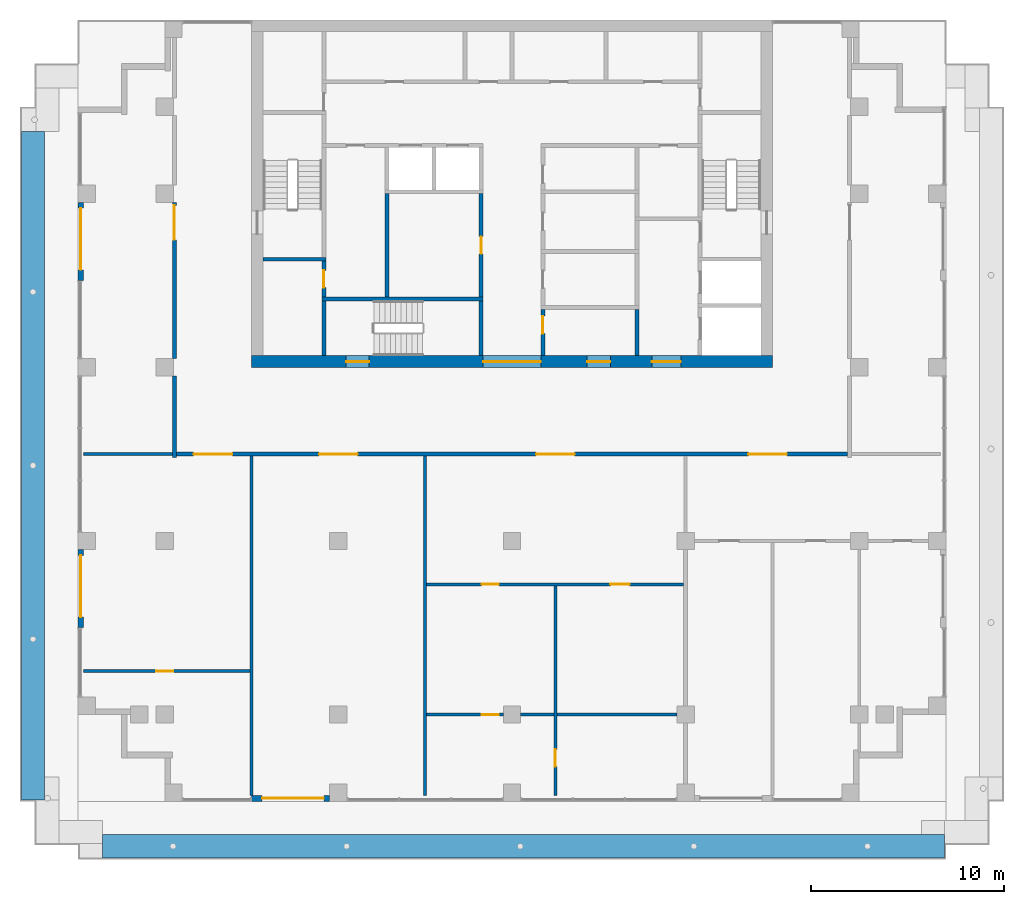
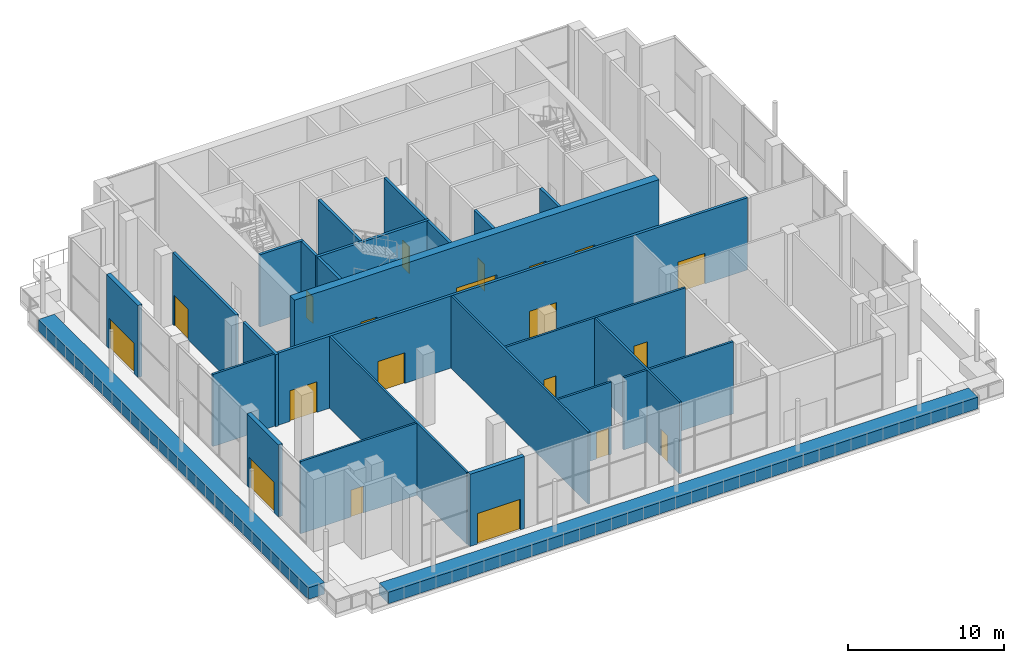
# One storey, part 7 of 13: 27 walls, 20 doors, 20 openings.
"""IFC4 building model written with IfcOpenShell, lengths in metres."""

from ifc_helpers import new_model, si_unit, direction, frame, frame_2d, origin, place, context, subcontext, project, spatial, rectangle, extrude, material, layer, layer_set, type_object, element, fill, save


model = new_model("IFC4")

# Units and contexts
model_context = context("Model", 3, precision=1e-05, world=origin(), true_north=direction((0.0, 1.0)))
body_context = subcontext(model_context, "Body", "Model", "MODEL_VIEW")
ifc_project = project(units=[si_unit("LENGTHUNIT", "METRE"), si_unit("AREAUNIT", "SQUARE_METRE"), si_unit("VOLUMEUNIT", "CUBIC_METRE"), si_unit("PLANEANGLEUNIT", "RADIAN"), si_unit("MASSUNIT", "GRAM", prefix="KILO")], contexts=[model_context])

# Site, building, storey
site_placement = place(None, origin())
site = spatial("IfcSite", under=ifc_project, at=site_placement, CompositionType="ELEMENT")
building_placement = place(site_placement, origin())
building = spatial("IfcBuilding", under=site, at=building_placement, Name="Orbiselva Terraces", CompositionType="ELEMENT")
storey_placement = place(building_placement, frame((0.0, 0.0, 297.4)))
storey = spatial("IfcBuildingStorey", under=building, at=storey_placement, Name="L74", CompositionType="ELEMENT", Elevation=297.4)

# Wall, openings, doors
ifc_material_1 = material(Name="Concrete C80/95", Category="concrete")
ifc_layer_1 = layer(ifc_material_1, 0.6)
ifc_layer_set_1 = layer_set([ifc_layer_1], Name="Concrete C80/95")
wall_type_1 = type_object("IfcWallType", Name="CORE WALL 600", PredefinedType="SHEAR", material=ifc_layer_set_1)
wall_1_placement = place(storey_placement, frame((-13.5, 4.8, -0.3), z_axis=(0.0, 0.0, 1.0), x_axis=(1.0, 0.0, 0.0)))
wall_1 = element("IfcWall", 1, at=wall_1_placement, inside=storey, type_object=wall_type_1, Name="Core wall L74 south", PredefinedType="SHEAR", context=body_context, shape_type="SweptSolid", body=[
    extrude(rectangle(XDim=27.0, YDim=0.6, at=frame_2d((13.5, 0.0))), origin(), (0.0, 0.0, 1.0), 5.95),
])
opening_1_placement = place(wall_1_placement, frame((12.0, 0.0, 0.3)))
opening_1 = element("IfcOpeningElement", 2, at=opening_1_placement, cuts=wall_1, Name="Opening DL3000", PredefinedType="OPENING", context=body_context, shape_type="SweptSolid", body=[
    extrude(rectangle(XDim=3.0, YDim=2.4, at=frame_2d((1.5, 1.2))), frame((0.0, 0.31, 0.0), z_axis=(0.0, -1.0, 0.0), x_axis=(1.0, 0.0, 0.0)), (0.0, 0.0, 1.0), 0.62),
])
opening_2_placement = place(wall_1_placement, frame((4.9, 0.0, 0.3)))
opening_2 = element("IfcOpeningElement", 3, at=opening_2_placement, cuts=wall_1, Name="Opening DS1200", PredefinedType="OPENING", context=body_context, shape_type="SweptSolid", body=[
    extrude(rectangle(XDim=1.2, YDim=2.2, at=frame_2d((0.6, 1.1))), frame((0.0, 0.31, 0.0), z_axis=(0.0, -1.0, 0.0), x_axis=(1.0, 0.0, 0.0)), (0.0, 0.0, 1.0), 0.62),
])
opening_3_placement = place(wall_1_placement, frame((20.75, 0.0, 0.3)))
opening_3 = element("IfcOpeningElement", 4, at=opening_3_placement, cuts=wall_1, Name="Opening DF1500", PredefinedType="OPENING", context=body_context, shape_type="SweptSolid", body=[
    extrude(rectangle(XDim=1.5, YDim=2.2, at=frame_2d((0.75, 1.1))), frame((0.0, 0.31, 0.0), z_axis=(0.0, -1.0, 0.0), x_axis=(1.0, 0.0, 0.0)), (0.0, 0.0, 1.0), 0.62),
])
opening_4_placement = place(wall_1_placement, frame((17.4, 0.0, 0.3)))
opening_4 = element("IfcOpeningElement", 5, at=opening_4_placement, cuts=wall_1, Name="Opening DV1200", PredefinedType="OPENING", context=body_context, shape_type="SweptSolid", body=[
    extrude(rectangle(XDim=1.2, YDim=2.2, at=frame_2d((0.6, 1.1))), frame((0.0, 0.31, 0.0), z_axis=(0.0, -1.0, 0.0), x_axis=(1.0, 0.0, 0.0)), (0.0, 0.0, 1.0), 0.62),
])
ifc_material_2 = material(Name="Steel fire door", Category="steel")
door_type_1 = type_object("IfcDoorType", Name="FFL DOOR 1500", OperationType="DOUBLE_DOOR_SINGLE_SWING", PredefinedType="DOOR", material=ifc_material_2)
door_1_placement = place(opening_3_placement, frame((1.5, 0.0, 0.0), z_axis=(0.0, 0.0, 1.0), x_axis=(-1.0, 0.0, 0.0)))
door_1 = element("IfcDoor", 6, at=door_1_placement, inside=storey, type_object=door_type_1, Name="L74 FIRE-FIGHTING LOBBY door", OperationType="DOUBLE_DOOR_SINGLE_SWING", OverallHeight=2.2, OverallWidth=1.5, PredefinedType="DOOR", context=body_context, shape_type="SweptSolid", body=[
    extrude(rectangle(XDim=1.5, YDim=2.2, at=frame_2d((0.75, 1.1))), frame((0.0, 0.025, 0.0), z_axis=(0.0, -1.0, 0.0), x_axis=(1.0, 0.0, 0.0)), (0.0, 0.0, 1.0), 0.05),
])
fill(opening_3, door_1)
door_type_2 = type_object("IfcDoorType", Name="LOBBY DOOR 3000", OperationType="DOUBLE_DOOR_SINGLE_SWING", PredefinedType="DOOR", material=ifc_material_2)
door_2_placement = place(opening_1_placement, frame((3.0, 0.0, 0.0), z_axis=(0.0, 0.0, 1.0), x_axis=(-1.0, 0.0, 0.0)))
door_2 = element("IfcDoor", 7, at=door_2_placement, inside=storey, type_object=door_type_2, Name="L74 LIFT LOBBY door", OperationType="DOUBLE_DOOR_SINGLE_SWING", OverallHeight=2.4, OverallWidth=3.0, PredefinedType="DOOR", context=body_context, shape_type="SweptSolid", body=[
    extrude(rectangle(XDim=3.0, YDim=2.4, at=frame_2d((1.5, 1.2))), frame((0.0, 0.025, 0.0), z_axis=(0.0, -1.0, 0.0), x_axis=(1.0, 0.0, 0.0)), (0.0, 0.0, 1.0), 0.05),
])
fill(opening_1, door_2)
door_type_3 = type_object("IfcDoorType", Name="SERVICE DOOR 1200", OperationType="NOTDEFINED", PredefinedType="DOOR", material=ifc_material_2)
door_3_placement = place(opening_4_placement, frame((1.2, 0.0, 0.0), z_axis=(0.0, 0.0, 1.0), x_axis=(-1.0, 0.0, 0.0)))
door_3 = element("IfcDoor", 8, at=door_3_placement, inside=storey, type_object=door_type_3, Name="L74 ELECTRICAL RISER ROOM door", OperationType="SINGLE_SWING_RIGHT", OverallHeight=2.2, OverallWidth=1.2, PredefinedType="DOOR", context=body_context, shape_type="SweptSolid", body=[
    extrude(rectangle(XDim=1.2, YDim=2.2, at=frame_2d((0.6, 1.1))), frame((0.0, 0.025, 0.0), z_axis=(0.0, -1.0, 0.0), x_axis=(1.0, 0.0, 0.0)), (0.0, 0.0, 1.0), 0.05),
])
fill(opening_4, door_3)
door_type_4 = type_object("IfcDoorType", Name="STAIR DOOR 1200", OperationType="NOTDEFINED", PredefinedType="DOOR", material=ifc_material_2)
door_4_placement = place(opening_2_placement, frame((1.2, 0.0, 0.0), z_axis=(0.0, 0.0, 1.0), x_axis=(-1.0, 0.0, 0.0)))
door_4 = element("IfcDoor", 9, at=door_4_placement, inside=storey, type_object=door_type_4, Name="L74 EXIT STAIR S3 door", OperationType="SINGLE_SWING_LEFT", OverallHeight=2.2, OverallWidth=1.2, PredefinedType="DOOR", context=body_context, shape_type="SweptSolid", body=[
    extrude(rectangle(XDim=1.2, YDim=2.2, at=frame_2d((0.6, 1.1))), frame((0.0, 0.025, 0.0), z_axis=(0.0, -1.0, 0.0), x_axis=(1.0, 0.0, 0.0)), (0.0, 0.0, 1.0), 0.05),
])
fill(opening_2, door_4)

# Wall, opening, door
ifc_material_3 = material(Name="Masonry blockwork", Category="masonry")
ifc_layer_2 = layer(ifc_material_3, 0.2)
ifc_layer_set_2 = layer_set([ifc_layer_2], Name="Masonry blockwork")
wall_type_2 = type_object("IfcWallType", Name="CORE-WALL-PARTITION-200", PredefinedType="PARTITIONING", material=ifc_layer_set_2)
wall_2_placement = place(storey_placement, frame((-9.75, 8.15, 0.0), z_axis=(0.0, 0.0, 1.0), x_axis=(0.0, 1.0, 0.0)))
wall_2 = element("IfcWall", 10, at=wall_2_placement, inside=storey, type_object=wall_type_2, Name="L74 core wall 05", PredefinedType="PARTITIONING", context=body_context, shape_type="SweptSolid", body=[
    extrude(rectangle(XDim=1.85, YDim=0.2, at=frame_2d((0.925, 0.0))), origin(), (0.0, 0.0, 1.0), 5.65),
])
opening_5_placement = place(wall_2_placement, frame((0.475, 0.0, 0.0)))
opening_5 = element("IfcOpeningElement", 11, at=opening_5_placement, cuts=wall_2, Name="Opening DR900", PredefinedType="OPENING", context=body_context, shape_type="SweptSolid", body=[
    extrude(rectangle(XDim=0.9, YDim=2.1, at=frame_2d((0.45, 1.05))), frame((0.0, 0.11, 0.0), z_axis=(0.0, -1.0, 0.0), x_axis=(1.0, 0.0, 0.0)), (0.0, 0.0, 1.0), 0.22),
])
door_type_5 = type_object("IfcDoorType", Name="ROOM DOOR 900", OperationType="NOTDEFINED", PredefinedType="DOOR", material=ifc_material_2)
door_5_placement = place(opening_5_placement, origin())
door_5 = element("IfcDoor", 12, at=door_5_placement, inside=storey, type_object=door_type_5, Name="L74 VISITOR WC door", OperationType="SINGLE_SWING_RIGHT", OverallHeight=2.1, OverallWidth=0.9, PredefinedType="DOOR", context=body_context, shape_type="SweptSolid", body=[
    extrude(rectangle(XDim=0.9, YDim=2.1, at=frame_2d((0.45, 1.05))), frame((0.0, 0.025, 0.0), z_axis=(0.0, -1.0, 0.0), x_axis=(1.0, 0.0, 0.0)), (0.0, 0.0, 1.0), 0.05),
])
fill(opening_5, door_5)

# Wall
wall_3_placement = place(storey_placement, frame((-6.475, 8.15, 0.0), z_axis=(0.0, 0.0, 1.0), x_axis=(0.0, 1.0, 0.0)))
element("IfcWall", 13, at=wall_3_placement, inside=storey, type_object=wall_type_2, Name="L74 core wall 12", PredefinedType="PARTITIONING", context=body_context, shape_type="SweptSolid", body=[
    extrude(rectangle(XDim=5.35, YDim=0.2, at=frame_2d((2.675, 0.0))), origin(), (0.0, 0.0, 1.0), 5.65),
])

# Wall, opening, door
wall_4_placement = place(storey_placement, frame((1.6, 7.5, 0.0), z_axis=(0.0, 0.0, 1.0), x_axis=(0.0, -1.0, 0.0)))
wall_4 = element("IfcWall", 14, at=wall_4_placement, inside=storey, type_object=wall_type_2, Name="L74 core wall 21", PredefinedType="PARTITIONING", context=body_context, shape_type="SweptSolid", body=[
    extrude(rectangle(XDim=2.4, YDim=0.2, at=frame_2d((1.2, 0.0))), origin(), (0.0, 0.0, 1.0), 5.65),
])
opening_6_placement = place(wall_4_placement, frame((0.35, 0.0, 0.0)))
opening_6 = element("IfcOpeningElement", 15, at=opening_6_placement, cuts=wall_4, Name="Opening DR900", PredefinedType="OPENING", context=body_context, shape_type="SweptSolid", body=[
    extrude(rectangle(XDim=0.9, YDim=2.1, at=frame_2d((0.45, 1.05))), frame((0.0, 0.11, 0.0), z_axis=(0.0, -1.0, 0.0), x_axis=(1.0, 0.0, 0.0)), (0.0, 0.0, 1.0), 0.22),
])
door_6_placement = place(opening_6_placement, origin())
door_6 = element("IfcDoor", 16, at=door_6_placement, inside=storey, type_object=door_type_5, Name="L74 ELECTRICAL RISER ROOM door", OperationType="SINGLE_SWING_LEFT", OverallHeight=2.1, OverallWidth=0.9, PredefinedType="DOOR", context=body_context, shape_type="SweptSolid", body=[
    extrude(rectangle(XDim=0.9, YDim=2.1, at=frame_2d((0.45, 1.05))), frame((0.0, 0.025, 0.0), z_axis=(0.0, -1.0, 0.0), x_axis=(1.0, 0.0, 0.0)), (0.0, 0.0, 1.0), 0.05),
])
fill(opening_6, door_6)

# Walls
ifc_material_4 = material(Name="Concrete C60/75", Category="concrete")
ifc_layer_3 = layer(ifc_material_4, 0.2)
ifc_layer_set_3 = layer_set([ifc_layer_3], Name="Concrete C60/75")
wall_type_3 = type_object("IfcWallType", Name="CORE-WALL-SHEAR-200", PredefinedType="SHEAR", material=ifc_layer_set_3)
wall_5_placement = place(storey_placement, frame((-12.9, 10.1, 0.0), z_axis=(0.0, 0.0, 1.0), x_axis=(1.0, 0.0, 0.0)))
element("IfcWall", 17, at=wall_5_placement, inside=storey, type_object=wall_type_3, Name="L74 core wall 01", PredefinedType="SHEAR", context=body_context, shape_type="SweptSolid", body=[
    extrude(rectangle(XDim=3.25, YDim=0.2, at=frame_2d((1.625, 0.0))), origin(), (0.0, 0.0, 1.0), 5.65),
])
wall_6_placement = place(storey_placement, frame((-9.75, 5.1, 0.0), z_axis=(0.0, 0.0, 1.0), x_axis=(0.0, 1.0, 0.0)))
element("IfcWall", 18, at=wall_6_placement, inside=storey, type_object=wall_type_3, Name="L74 core wall 03", PredefinedType="SHEAR", context=body_context, shape_type="SweptSolid", body=[
    extrude(rectangle(XDim=2.85, YDim=0.2, at=frame_2d((1.425, 0.0))), origin(), (0.0, 0.0, 1.0), 5.65),
])
wall_7_placement = place(storey_placement, frame((-9.85, 8.05, 0.0), z_axis=(0.0, 0.0, 1.0), x_axis=(1.0, 0.0, 0.0)))
element("IfcWall", 19, at=wall_7_placement, inside=storey, type_object=wall_type_3, Name="L74 core wall 04", PredefinedType="SHEAR", context=body_context, shape_type="SweptSolid", body=[
    extrude(rectangle(XDim=8.35, YDim=0.2, at=frame_2d((4.175, 0.0))), origin(), (0.0, 0.0, 1.0), 5.65),
])
wall_8_placement = place(storey_placement, frame((-1.6, 5.1, 0.0), z_axis=(0.0, 0.0, 1.0), x_axis=(0.0, 1.0, 0.0)))
element("IfcWall", 20, at=wall_8_placement, inside=storey, type_object=wall_type_3, Name="L74 core wall 17", PredefinedType="SHEAR", context=body_context, shape_type="SweptSolid", body=[
    extrude(rectangle(XDim=2.85, YDim=0.2, at=frame_2d((1.425, 0.0))), origin(), (0.0, 0.0, 1.0), 5.65),
])

# Wall, opening, door
wall_9_placement = place(storey_placement, frame((-1.6, 8.15, 0.0), z_axis=(0.0, 0.0, 1.0), x_axis=(0.0, 1.0, 0.0)))
wall_9 = element("IfcWall", 21, at=wall_9_placement, inside=storey, type_object=wall_type_3, Name="L74 core wall 18", PredefinedType="SHEAR", context=body_context, shape_type="SweptSolid", body=[
    extrude(rectangle(XDim=5.35, YDim=0.2, at=frame_2d((2.675, 0.0))), origin(), (0.0, 0.0, 1.0), 5.65),
])
opening_7_placement = place(wall_9_placement, frame((2.225, 0.0, 0.0)))
opening_7 = element("IfcOpeningElement", 22, at=opening_7_placement, cuts=wall_9, Name="Opening DR900", PredefinedType="OPENING", context=body_context, shape_type="SweptSolid", body=[
    extrude(rectangle(XDim=0.9, YDim=2.1, at=frame_2d((0.45, 1.05))), frame((0.0, 0.11, 0.0), z_axis=(0.0, -1.0, 0.0), x_axis=(1.0, 0.0, 0.0)), (0.0, 0.0, 1.0), 0.22),
])
door_7_placement = place(opening_7_placement, origin())
door_7 = element("IfcDoor", 23, at=door_7_placement, inside=storey, type_object=door_type_5, Name="L74 TICKETING OFFICE door", OperationType="SINGLE_SWING_RIGHT", OverallHeight=2.1, OverallWidth=0.9, PredefinedType="DOOR", context=body_context, shape_type="SweptSolid", body=[
    extrude(rectangle(XDim=0.9, YDim=2.1, at=frame_2d((0.45, 1.05))), frame((0.0, 0.025, 0.0), z_axis=(0.0, -1.0, 0.0), x_axis=(1.0, 0.0, 0.0)), (0.0, 0.0, 1.0), 0.05),
])
fill(opening_7, door_7)

# Walls
wall_10_placement = place(storey_placement, frame((6.475, 5.1, 0.0), z_axis=(0.0, 0.0, 1.0), x_axis=(0.0, 1.0, 0.0)))
element("IfcWall", 24, at=wall_10_placement, inside=storey, type_object=wall_type_3, Name="L74 core wall 30", PredefinedType="SHEAR", context=body_context, shape_type="SweptSolid", body=[
    extrude(rectangle(XDim=2.4, YDim=0.2, at=frame_2d((1.2, 0.0))), origin(), (0.0, 0.0, 1.0), 5.65),
])
ifc_material_5 = material(Name="Concrete C40/50", Category="concrete")
ifc_layer_4 = layer(ifc_material_5, 1.2)
ifc_layer_set_4 = layer_set([ifc_layer_4], Name="Concrete C40/50")
wall_type_4 = type_object("IfcWallType", Name="ENV-GARDEN-BED-1200x900", PredefinedType="USERDEFINED", material=ifc_layer_set_4)
wall_11_placement = place(storey_placement, frame((-24.83, 16.73, 0.0), z_axis=(0.0, 0.0, 1.0), x_axis=(0.0, -1.0, 0.0)))
element("IfcWall", 25, at=wall_11_placement, inside=storey, type_object=wall_type_4, Name="Planter bed L74 ring", ObjectType="PLANTER", PredefinedType="USERDEFINED", context=body_context, shape_type="SweptSolid", body=[
    extrude(rectangle(XDim=34.66, YDim=1.2, at=frame_2d((17.33, 0.0))), origin(), (0.0, 0.0, 1.0), 0.9),
])
wall_12_placement = place(storey_placement, frame((-21.23, -20.33, 0.0), z_axis=(0.0, 0.0, 1.0), x_axis=(1.0, 0.0, 0.0)))
element("IfcWall", 26, at=wall_12_placement, inside=storey, type_object=wall_type_4, Name="Planter bed L74 ring", ObjectType="PLANTER", PredefinedType="USERDEFINED", context=body_context, shape_type="SweptSolid", body=[
    extrude(rectangle(XDim=43.66, YDim=1.2, at=frame_2d((21.83, 0.0))), origin(), (0.0, 0.0, 1.0), 0.9),
])

# Wall, opening, door
ifc_material_6 = material(Name="Terracotta cladding on masonry backing", Category="masonry")
ifc_layer_5 = layer(ifc_material_6, 0.3)
ifc_layer_set_5 = layer_set([ifc_layer_5], Name="Terracotta cladding on masonry backing")
wall_type_5 = type_object("IfcWallType", Name="ENV-WALL-TERRACOTTA-300", PredefinedType="SOLIDWALL", material=ifc_layer_set_5)
wall_13_placement = place(storey_placement, frame((-9.45, -17.85, 0.0), z_axis=(0.0, 0.0, 1.0), x_axis=(-1.0, 0.0, 0.0)))
wall_13 = element("IfcWall", 27, at=wall_13_placement, inside=storey, type_object=wall_type_5, Name="Facade wall L74 S", PredefinedType="SOLIDWALL", context=body_context, shape_type="SweptSolid", body=[
    extrude(rectangle(XDim=4.05, YDim=0.3, at=frame_2d((2.025, 0.0))), origin(), (0.0, 0.0, 1.0), 5.65),
])
opening_8_placement = place(wall_13_placement, frame((0.3, 0.0, 0.0)))
opening_8 = element("IfcOpeningElement", 28, at=opening_8_placement, cuts=wall_13, Name="Opening LOOKOUT-E01", PredefinedType="OPENING", context=body_context, shape_type="SweptSolid", body=[
    extrude(rectangle(XDim=3.2, YDim=2.4, at=frame_2d((1.6, 1.2))), frame((0.0, 0.16, 0.0), z_axis=(0.0, -1.0, 0.0), x_axis=(1.0, 0.0, 0.0)), (0.0, 0.0, 1.0), 0.32),
])
ifc_material_7 = material(Name="Clear low-e glazing in aluminium frame", Category="aluminium")
door_type_6 = type_object("IfcDoorType", Name="TERRACE DOOR 3200 X 2400", OperationType="DOUBLE_DOOR_SINGLE_SWING", PredefinedType="DOOR", material=ifc_material_7)
door_8_placement = place(opening_8_placement, origin())
door_8 = element("IfcDoor", 29, at=door_8_placement, inside=storey, type_object=door_type_6, Name="LOOKOUT-E01", OperationType="SINGLE_SWING_LEFT", OverallHeight=2.4, OverallWidth=3.2, PredefinedType="DOOR", context=body_context, shape_type="SweptSolid", body=[
    extrude(rectangle(XDim=3.2, YDim=2.4, at=frame_2d((1.6, 1.2))), frame((0.0, 0.025, 0.0), z_axis=(0.0, -1.0, 0.0), x_axis=(1.0, 0.0, 0.0)), (0.0, 0.0, 1.0), 0.05),
])
fill(opening_8, door_8)

wall_14_placement = place(storey_placement, frame((-22.35, 9.0, 0.0), z_axis=(0.0, 0.0, 1.0), x_axis=(0.0, 1.0, 0.0)))
wall_14 = element("IfcWall", 30, at=wall_14_placement, inside=storey, type_object=wall_type_5, Name="Facade wall L74 W", PredefinedType="SOLIDWALL", context=body_context, shape_type="SweptSolid", body=[
    extrude(rectangle(XDim=4.05, YDim=0.3, at=frame_2d((2.025, 0.0))), origin(), (0.0, 0.0, 1.0), 5.65),
])
opening_9_placement = place(wall_14_placement, frame((0.55, 0.0, 0.0)))
opening_9 = element("IfcOpeningElement", 31, at=opening_9_placement, cuts=wall_14, Name="Opening LOOKOUT-E05", PredefinedType="OPENING", context=body_context, shape_type="SweptSolid", body=[
    extrude(rectangle(XDim=3.2, YDim=2.4, at=frame_2d((1.6, 1.2))), frame((0.0, 0.16, 0.0), z_axis=(0.0, -1.0, 0.0), x_axis=(1.0, 0.0, 0.0)), (0.0, 0.0, 1.0), 0.32),
])
door_9_placement = place(opening_9_placement, origin())
door_9 = element("IfcDoor", 32, at=door_9_placement, inside=storey, type_object=door_type_6, Name="LOOKOUT-E05", OperationType="SINGLE_SWING_LEFT", OverallHeight=2.4, OverallWidth=3.2, PredefinedType="DOOR", context=body_context, shape_type="SweptSolid", body=[
    extrude(rectangle(XDim=3.2, YDim=2.4, at=frame_2d((1.6, 1.2))), frame((0.0, 0.025, 0.0), z_axis=(0.0, -1.0, 0.0), x_axis=(1.0, 0.0, 0.0)), (0.0, 0.0, 1.0), 0.05),
])
fill(opening_9, door_9)

wall_15_placement = place(storey_placement, frame((-22.35, -9.0, 0.0), z_axis=(0.0, 0.0, 1.0), x_axis=(0.0, 1.0, 0.0)))
wall_15 = element("IfcWall", 33, at=wall_15_placement, inside=storey, type_object=wall_type_5, Name="Facade wall L74 W", PredefinedType="SOLIDWALL", context=body_context, shape_type="SweptSolid", body=[
    extrude(rectangle(XDim=4.05, YDim=0.3, at=frame_2d((2.025, 0.0))), origin(), (0.0, 0.0, 1.0), 5.65),
])
opening_10_placement = place(wall_15_placement, frame((0.55, 0.0, 0.0)))
opening_10 = element("IfcOpeningElement", 34, at=opening_10_placement, cuts=wall_15, Name="Opening LOOKOUT-E06", PredefinedType="OPENING", context=body_context, shape_type="SweptSolid", body=[
    extrude(rectangle(XDim=3.2, YDim=2.4, at=frame_2d((1.6, 1.2))), frame((0.0, 0.16, 0.0), z_axis=(0.0, -1.0, 0.0), x_axis=(1.0, 0.0, 0.0)), (0.0, 0.0, 1.0), 0.32),
])
door_10_placement = place(opening_10_placement, origin())
door_10 = element("IfcDoor", 35, at=door_10_placement, inside=storey, type_object=door_type_6, Name="LOOKOUT-E06", OperationType="SINGLE_SWING_LEFT", OverallHeight=2.4, OverallWidth=3.2, PredefinedType="DOOR", context=body_context, shape_type="SweptSolid", body=[
    extrude(rectangle(XDim=3.2, YDim=2.4, at=frame_2d((1.6, 1.2))), frame((0.0, 0.025, 0.0), z_axis=(0.0, -1.0, 0.0), x_axis=(1.0, 0.0, 0.0)), (0.0, 0.0, 1.0), 0.05),
])
fill(opening_10, door_10)

# Wall, openings, doors
ifc_material_8 = material(Name="Plasterboard on steel stud partition", Category="steel")
ifc_layer_6 = layer(ifc_material_8, 0.2)
ifc_layer_set_6 = layer_set([ifc_layer_6], Name="Plasterboard on steel stud partition")
wall_type_6 = type_object("IfcWallType", Name="UNIT-ENTRANCE-WALL-200", PredefinedType="PARTITIONING", material=ifc_layer_set_6)
wall_16_placement = place(storey_placement, frame((-17.4, 0.0, 0.0), z_axis=(0.0, 0.0, 1.0), x_axis=(1.0, 0.0, 0.0)))
wall_16 = element("IfcWall", 36, at=wall_16_placement, inside=storey, type_object=wall_type_6, Name="PARTITION L74-008", PredefinedType="PARTITIONING", context=body_context, shape_type="SweptSolid", body=[
    extrude(rectangle(XDim=34.8, YDim=0.2, at=frame_2d((17.4, 0.0))), origin(), (0.0, 0.0, 1.0), 5.65),
])
opening_11_placement = place(wall_16_placement, frame((0.9, 0.0, 0.0)))
opening_11 = element("IfcOpeningElement", 37, at=opening_11_placement, cuts=wall_16, Name="Opening LOOKOUT-01", PredefinedType="OPENING", context=body_context, shape_type="SweptSolid", body=[
    extrude(rectangle(XDim=2.0, YDim=2.4, at=frame_2d((1.0, 1.2))), frame((0.0, 0.11, 0.0), z_axis=(0.0, -1.0, 0.0), x_axis=(1.0, 0.0, 0.0)), (0.0, 0.0, 1.0), 0.22),
])
opening_12_placement = place(wall_16_placement, frame((7.4, 0.0, 0.0)))
opening_12 = element("IfcOpeningElement", 38, at=opening_12_placement, cuts=wall_16, Name="Opening LOOKOUT-02", PredefinedType="OPENING", context=body_context, shape_type="SweptSolid", body=[
    extrude(rectangle(XDim=2.0, YDim=2.4, at=frame_2d((1.0, 1.2))), frame((0.0, 0.11, 0.0), z_axis=(0.0, -1.0, 0.0), x_axis=(1.0, 0.0, 0.0)), (0.0, 0.0, 1.0), 0.22),
])
opening_13_placement = place(wall_16_placement, frame((18.65, 0.0, 0.0)))
opening_13 = element("IfcOpeningElement", 39, at=opening_13_placement, cuts=wall_16, Name="Opening LOOKOUT-03", PredefinedType="OPENING", context=body_context, shape_type="SweptSolid", body=[
    extrude(rectangle(XDim=2.0, YDim=2.4, at=frame_2d((1.0, 1.2))), frame((0.0, 0.11, 0.0), z_axis=(0.0, -1.0, 0.0), x_axis=(1.0, 0.0, 0.0)), (0.0, 0.0, 1.0), 0.22),
])
opening_14_placement = place(wall_16_placement, frame((29.65, 0.0, 0.0)))
opening_14 = element("IfcOpeningElement", 40, at=opening_14_placement, cuts=wall_16, Name="Opening LOOKOUT-04", PredefinedType="OPENING", context=body_context, shape_type="SweptSolid", body=[
    extrude(rectangle(XDim=2.0, YDim=2.4, at=frame_2d((1.0, 1.2))), frame((0.0, 0.11, 0.0), z_axis=(0.0, -1.0, 0.0), x_axis=(1.0, 0.0, 0.0)), (0.0, 0.0, 1.0), 0.22),
])
ifc_material_9 = material(Name="Painted timber door leaf", Category="wood")
door_type_7 = type_object("IfcDoorType", Name="AMENITY DOUBLE DOOR 2000", OperationType="NOTDEFINED", PredefinedType="DOOR", material=ifc_material_9)
door_11_placement = place(opening_11_placement, origin())
door_11 = element("IfcDoor", 41, at=door_11_placement, inside=storey, type_object=door_type_7, Name="LOOKOUT-01", OperationType="DOUBLE_DOOR_SINGLE_SWING", OverallHeight=2.4, OverallWidth=2.0, PredefinedType="DOOR", context=body_context, shape_type="SweptSolid", body=[
    extrude(rectangle(XDim=2.0, YDim=2.4, at=frame_2d((1.0, 1.2))), frame((0.0, 0.025, 0.0), z_axis=(0.0, -1.0, 0.0), x_axis=(1.0, 0.0, 0.0)), (0.0, 0.0, 1.0), 0.05),
])
fill(opening_11, door_11)
door_12_placement = place(opening_12_placement, origin())
door_12 = element("IfcDoor", 42, at=door_12_placement, inside=storey, type_object=door_type_7, Name="LOOKOUT-02", OperationType="DOUBLE_DOOR_SINGLE_SWING", OverallHeight=2.4, OverallWidth=2.0, PredefinedType="DOOR", context=body_context, shape_type="SweptSolid", body=[
    extrude(rectangle(XDim=2.0, YDim=2.4, at=frame_2d((1.0, 1.2))), frame((0.0, 0.025, 0.0), z_axis=(0.0, -1.0, 0.0), x_axis=(1.0, 0.0, 0.0)), (0.0, 0.0, 1.0), 0.05),
])
fill(opening_12, door_12)
door_13_placement = place(opening_13_placement, origin())
door_13 = element("IfcDoor", 43, at=door_13_placement, inside=storey, type_object=door_type_7, Name="LOOKOUT-03", OperationType="DOUBLE_DOOR_SINGLE_SWING", OverallHeight=2.4, OverallWidth=2.0, PredefinedType="DOOR", context=body_context, shape_type="SweptSolid", body=[
    extrude(rectangle(XDim=2.0, YDim=2.4, at=frame_2d((1.0, 1.2))), frame((0.0, 0.025, 0.0), z_axis=(0.0, -1.0, 0.0), x_axis=(1.0, 0.0, 0.0)), (0.0, 0.0, 1.0), 0.05),
])
fill(opening_13, door_13)
door_14_placement = place(opening_14_placement, origin())
door_14 = element("IfcDoor", 44, at=door_14_placement, inside=storey, type_object=door_type_7, Name="LOOKOUT-04", OperationType="DOUBLE_DOOR_SINGLE_SWING", OverallHeight=2.4, OverallWidth=2.0, PredefinedType="DOOR", context=body_context, shape_type="SweptSolid", body=[
    extrude(rectangle(XDim=2.0, YDim=2.4, at=frame_2d((1.0, 1.2))), frame((0.0, 0.025, 0.0), z_axis=(0.0, -1.0, 0.0), x_axis=(1.0, 0.0, 0.0)), (0.0, 0.0, 1.0), 0.05),
])
fill(opening_14, door_14)

# Wall
wall_17_placement = place(storey_placement, frame((-17.5, -0.175, 0.0), z_axis=(0.0, 0.0, 1.0), x_axis=(0.0, 1.0, 0.0)))
element("IfcWall", 45, at=wall_17_placement, inside=storey, type_object=wall_type_6, Name="PARTITION L74-011", PredefinedType="PARTITIONING", context=body_context, shape_type="SweptSolid", body=[
    extrude(rectangle(XDim=4.225, YDim=0.2, at=frame_2d((2.1125, 0.0))), origin(), (0.0, 0.0, 1.0), 5.65),
])

# Wall, opening, door
wall_18_placement = place(storey_placement, frame((-17.5, 13.05, 0.0), z_axis=(0.0, 0.0, 1.0), x_axis=(0.0, -1.0, 0.0)))
wall_18 = element("IfcWall", 46, at=wall_18_placement, inside=storey, type_object=wall_type_6, Name="PARTITION L74-012", PredefinedType="PARTITIONING", context=body_context, shape_type="SweptSolid", body=[
    extrude(rectangle(XDim=8.1, YDim=0.2, at=frame_2d((4.05, 0.0))), origin(), (0.0, 0.0, 1.0), 5.65),
])
opening_15_placement = place(wall_18_placement, frame((0.15, 0.0, 0.0)))
opening_15 = element("IfcOpeningElement", 47, at=opening_15_placement, cuts=wall_18, Name="Opening LOOKOUT-05", PredefinedType="OPENING", context=body_context, shape_type="SweptSolid", body=[
    extrude(rectangle(XDim=1.8, YDim=2.4, at=frame_2d((0.9, 1.2))), frame((0.0, 0.11, 0.0), z_axis=(0.0, -1.0, 0.0), x_axis=(1.0, 0.0, 0.0)), (0.0, 0.0, 1.0), 0.22),
])
door_type_8 = type_object("IfcDoorType", Name="DOUBLE DOOR 1800", OperationType="NOTDEFINED", PredefinedType="DOOR", material=ifc_material_9)
door_15_placement = place(opening_15_placement, origin())
door_15 = element("IfcDoor", 48, at=door_15_placement, inside=storey, type_object=door_type_8, Name="LOOKOUT-05", OperationType="DOUBLE_DOOR_SINGLE_SWING", OverallHeight=2.4, OverallWidth=1.8, PredefinedType="DOOR", context=body_context, shape_type="SweptSolid", body=[
    extrude(rectangle(XDim=1.8, YDim=2.4, at=frame_2d((0.9, 1.2))), frame((0.0, 0.025, 0.0), z_axis=(0.0, -1.0, 0.0), x_axis=(1.0, 0.0, 0.0)), (0.0, 0.0, 1.0), 0.05),
])
fill(opening_15, door_15)

# Walls
ifc_layer_7 = layer(ifc_material_8, 0.15)
ifc_layer_set_7 = layer_set([ifc_layer_7], Name="Plasterboard on steel stud partition")
wall_type_7 = type_object("IfcWallType", Name="UNIT-PARTITION-150", PredefinedType="PARTITIONING", material=ifc_layer_set_7)
wall_19_placement = place(storey_placement, frame((0.45, -13.5, 0.0), z_axis=(0.0, 0.0, 1.0), x_axis=(1.0, 0.0, 0.0)))
element("IfcWall", 49, at=wall_19_placement, inside=storey, type_object=wall_type_7, Name="PARTITION L74-002", PredefinedType="PARTITIONING", context=body_context, shape_type="SweptSolid", body=[
    extrude(rectangle(XDim=1.725, YDim=0.15, at=frame_2d((0.8625, 0.0))), origin(), (0.0, 0.0, 1.0), 5.65),
])
wall_20_placement = place(storey_placement, frame((2.325, -13.5, 0.0), z_axis=(0.0, 0.0, 1.0), x_axis=(1.0, 0.0, 0.0)))
element("IfcWall", 50, at=wall_20_placement, inside=storey, type_object=wall_type_7, Name="PARTITION L74-003", PredefinedType="PARTITIONING", context=body_context, shape_type="SweptSolid", body=[
    extrude(rectangle(XDim=6.225, YDim=0.15, at=frame_2d((3.1125, 0.0))), origin(), (0.0, 0.0, 1.0), 5.65),
])
wall_21_placement = place(storey_placement, frame((-22.2, 0.0, 0.0), z_axis=(0.0, 0.0, 1.0), x_axis=(1.0, 0.0, 0.0)))
element("IfcWall", 51, at=wall_21_placement, inside=storey, type_object=wall_type_7, Name="PARTITION L74-009", PredefinedType="PARTITIONING", context=body_context, shape_type="SweptSolid", body=[
    extrude(rectangle(XDim=4.6, YDim=0.15, at=frame_2d((2.3, 0.0))), origin(), (0.0, 0.0, 1.0), 5.65),
])
for number, where, z_axis, x_axis, name in (
    (52, (-13.5, -17.7, 0.0), (0.0, 0.0, 1.0), (0.0, 1.0, 0.0), "PARTITION L74-015"),
    (53, (-4.5, -17.7, 0.0), (0.0, 0.0, 1.0), (0.0, 1.0, 0.0), "PARTITION L74-016"),
):
    element("IfcWall", number, at=place(storey_placement, frame(where, z_axis=z_axis, x_axis=x_axis)), inside=storey, type_object=wall_type_7, Name=name, PredefinedType="PARTITIONING", context=body_context, shape_type="SweptSolid", body=[
        extrude(rectangle(XDim=17.6, YDim=0.15, at=frame_2d((8.8, 0.0))), origin(), (0.0, 0.0, 1.0), 5.65),
    ])

# Wall, opening, door
ifc_layer_8 = layer(ifc_material_8, 0.15)
ifc_layer_set_8 = layer_set([ifc_layer_8], Name="Plasterboard on steel stud partition")
wall_type_8 = type_object("IfcWallType", Name="UNIT-PARTITION-FR-150", PredefinedType="PARTITIONING", material=ifc_layer_set_8)
wall_22_placement = place(storey_placement, frame((-4.425, -13.5, 0.0), z_axis=(0.0, 0.0, 1.0), x_axis=(1.0, 0.0, 0.0)))
wall_22 = element("IfcWall", 54, at=wall_22_placement, inside=storey, type_object=wall_type_8, Name="PARTITION L74-001", PredefinedType="PARTITIONING", context=body_context, shape_type="SweptSolid", body=[
    extrude(rectangle(XDim=3.975, YDim=0.15, at=frame_2d((1.9875, 0.0))), origin(), (0.0, 0.0, 1.0), 5.65),
])
opening_16_placement = place(wall_22_placement, frame((2.85, 0.0, 0.0)))
opening_16 = element("IfcOpeningElement", 55, at=opening_16_placement, cuts=wall_22, Name="Opening LOOKOUT-10", PredefinedType="OPENING", context=body_context, shape_type="SweptSolid", body=[
    extrude(rectangle(XDim=0.9, YDim=2.1, at=frame_2d((0.45, 1.05))), frame((0.0, 0.085, 0.0), z_axis=(0.0, -1.0, 0.0), x_axis=(1.0, 0.0, 0.0)), (0.0, 0.0, 1.0), 0.17),
])
door_type_9 = type_object("IfcDoorType", Name="SERVICE DOOR 900", OperationType="NOTDEFINED", PredefinedType="DOOR", material=ifc_material_9)
door_16_placement = place(opening_16_placement, origin())
door_16 = element("IfcDoor", 56, at=door_16_placement, inside=storey, type_object=door_type_9, Name="LOOKOUT-10", OperationType="SINGLE_SWING_RIGHT", OverallHeight=2.1, OverallWidth=0.9, PredefinedType="DOOR", context=body_context, shape_type="SweptSolid", body=[
    extrude(rectangle(XDim=0.9, YDim=2.1, at=frame_2d((0.45, 1.05))), frame((0.0, 0.025, 0.0), z_axis=(0.0, -1.0, 0.0), x_axis=(1.0, 0.0, 0.0)), (0.0, 0.0, 1.0), 0.05),
])
fill(opening_16, door_16)

wall_23_placement = place(storey_placement, frame((-22.2, -11.25, 0.0), z_axis=(0.0, 0.0, 1.0), x_axis=(1.0, 0.0, 0.0)))
wall_23 = element("IfcWall", 57, at=wall_23_placement, inside=storey, type_object=wall_type_8, Name="PARTITION L74-004", PredefinedType="PARTITIONING", context=body_context, shape_type="SweptSolid", body=[
    extrude(rectangle(XDim=8.625, YDim=0.15, at=frame_2d((4.3125, 0.0))), origin(), (0.0, 0.0, 1.0), 5.65),
])
opening_17_placement = place(wall_23_placement, frame((3.75, 0.0, 0.0)))
opening_17 = element("IfcOpeningElement", 58, at=opening_17_placement, cuts=wall_23, Name="Opening LOOKOUT-07", PredefinedType="OPENING", context=body_context, shape_type="SweptSolid", body=[
    extrude(rectangle(XDim=0.9, YDim=2.1, at=frame_2d((0.45, 1.05))), frame((0.0, 0.085, 0.0), z_axis=(0.0, -1.0, 0.0), x_axis=(1.0, 0.0, 0.0)), (0.0, 0.0, 1.0), 0.17),
])
door_17_placement = place(opening_17_placement, origin())
door_17 = element("IfcDoor", 59, at=door_17_placement, inside=storey, type_object=door_type_9, Name="LOOKOUT-07", OperationType="SINGLE_SWING_LEFT", OverallHeight=2.1, OverallWidth=0.9, PredefinedType="DOOR", context=body_context, shape_type="SweptSolid", body=[
    extrude(rectangle(XDim=0.9, YDim=2.1, at=frame_2d((0.45, 1.05))), frame((0.0, 0.025, 0.0), z_axis=(0.0, -1.0, 0.0), x_axis=(1.0, 0.0, 0.0)), (0.0, 0.0, 1.0), 0.05),
])
fill(opening_17, door_17)

# Wall, openings, doors
wall_24_placement = place(storey_placement, frame((-4.425, -6.75, 0.0), z_axis=(0.0, 0.0, 1.0), x_axis=(1.0, 0.0, 0.0)))
wall_24 = element("IfcWall", 60, at=wall_24_placement, inside=storey, type_object=wall_type_8, Name="PARTITION L74-005", PredefinedType="PARTITIONING", context=body_context, shape_type="SweptSolid", body=[
    extrude(rectangle(XDim=13.325, YDim=0.15, at=frame_2d((6.6625, 0.0))), origin(), (0.0, 0.0, 1.0), 5.65),
])
opening_18_placement = place(wall_24_placement, frame((2.85, 0.0, 0.0)))
opening_18 = element("IfcOpeningElement", 61, at=opening_18_placement, cuts=wall_24, Name="Opening LOOKOUT-08", PredefinedType="OPENING", context=body_context, shape_type="SweptSolid", body=[
    extrude(rectangle(XDim=0.9, YDim=2.1, at=frame_2d((0.45, 1.05))), frame((0.0, 0.085, 0.0), z_axis=(0.0, -1.0, 0.0), x_axis=(1.0, 0.0, 0.0)), (0.0, 0.0, 1.0), 0.17),
])
opening_19_placement = place(wall_24_placement, frame((9.525, 0.0, 0.0)))
opening_19 = element("IfcOpeningElement", 62, at=opening_19_placement, cuts=wall_24, Name="Opening LOOKOUT-09", PredefinedType="OPENING", context=body_context, shape_type="SweptSolid", body=[
    extrude(rectangle(XDim=1.0, YDim=2.4, at=frame_2d((0.5, 1.2))), frame((0.0, 0.085, 0.0), z_axis=(0.0, -1.0, 0.0), x_axis=(1.0, 0.0, 0.0)), (0.0, 0.0, 1.0), 0.17),
])
door_type_10 = type_object("IfcDoorType", Name="ROOM DOOR 1000", OperationType="NOTDEFINED", PredefinedType="DOOR", material=ifc_material_9)
door_18_placement = place(opening_19_placement, origin())
door_18 = element("IfcDoor", 63, at=door_18_placement, inside=storey, type_object=door_type_10, Name="LOOKOUT-09", OperationType="SINGLE_SWING_RIGHT", OverallHeight=2.4, OverallWidth=1.0, PredefinedType="DOOR", context=body_context, shape_type="SweptSolid", body=[
    extrude(rectangle(XDim=1.0, YDim=2.4, at=frame_2d((0.5, 1.2))), frame((0.0, 0.025, 0.0), z_axis=(0.0, -1.0, 0.0), x_axis=(1.0, 0.0, 0.0)), (0.0, 0.0, 1.0), 0.05),
])
fill(opening_19, door_18)
door_19_placement = place(opening_18_placement, origin())
door_19 = element("IfcDoor", 64, at=door_19_placement, inside=storey, type_object=door_type_9, Name="LOOKOUT-08", OperationType="SINGLE_SWING_LEFT", OverallHeight=2.1, OverallWidth=0.9, PredefinedType="DOOR", context=body_context, shape_type="SweptSolid", body=[
    extrude(rectangle(XDim=0.9, YDim=2.1, at=frame_2d((0.45, 1.05))), frame((0.0, 0.025, 0.0), z_axis=(0.0, -1.0, 0.0), x_axis=(1.0, 0.0, 0.0)), (0.0, 0.0, 1.0), 0.05),
])
fill(opening_18, door_19)

# Wall, opening, door
wall_25_placement = place(storey_placement, frame((2.25, -17.7, 0.0), z_axis=(0.0, 0.0, 1.0), x_axis=(0.0, 1.0, 0.0)))
wall_25 = element("IfcWall", 65, at=wall_25_placement, inside=storey, type_object=wall_type_8, Name="PARTITION L74-017", PredefinedType="PARTITIONING", context=body_context, shape_type="SweptSolid", body=[
    extrude(rectangle(XDim=10.875, YDim=0.15, at=frame_2d((5.4375, 0.0))), origin(), (0.0, 0.0, 1.0), 5.65),
])
opening_20_placement = place(wall_25_placement, frame((1.5, 0.0, 0.0)))
opening_20 = element("IfcOpeningElement", 66, at=opening_20_placement, cuts=wall_25, Name="Opening LOOKOUT-11", PredefinedType="OPENING", context=body_context, shape_type="SweptSolid", body=[
    extrude(rectangle(XDim=0.9, YDim=2.1, at=frame_2d((0.45, 1.05))), frame((0.0, 0.085, 0.0), z_axis=(0.0, -1.0, 0.0), x_axis=(1.0, 0.0, 0.0)), (0.0, 0.0, 1.0), 0.17),
])
door_20_placement = place(opening_20_placement, origin())
door_20 = element("IfcDoor", 67, at=door_20_placement, inside=storey, type_object=door_type_9, Name="LOOKOUT-11", OperationType="SINGLE_SWING_LEFT", OverallHeight=2.1, OverallWidth=0.9, PredefinedType="DOOR", context=body_context, shape_type="SweptSolid", body=[
    extrude(rectangle(XDim=0.9, YDim=2.1, at=frame_2d((0.45, 1.05))), frame((0.0, 0.025, 0.0), z_axis=(0.0, -1.0, 0.0), x_axis=(1.0, 0.0, 0.0)), (0.0, 0.0, 1.0), 0.05),
])
fill(opening_20, door_20)

save(model, "model.ifc")
